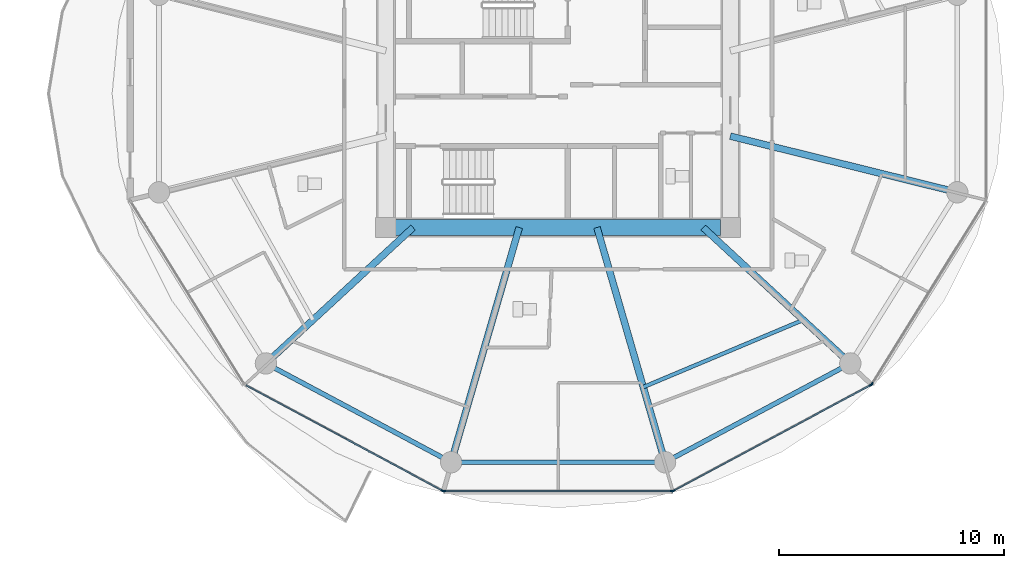
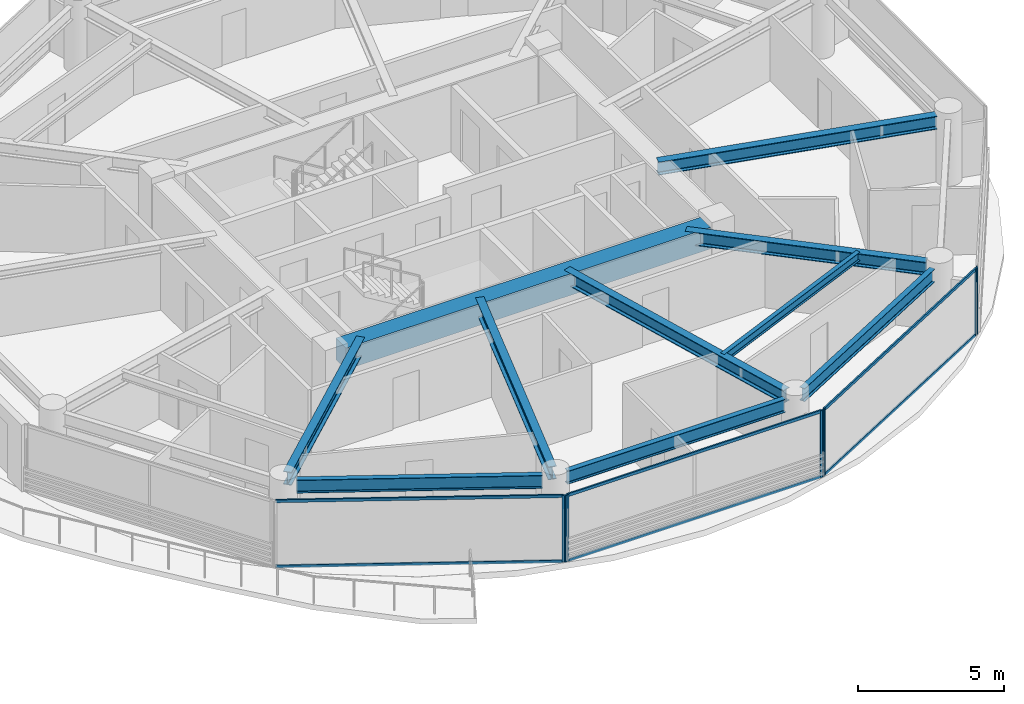
# One storey, part 10 of 26: 12 members, 10 beams, 4 elements without a shape of their own.
"""IFC4 building model written with IfcOpenShell, lengths in metres."""

from ifc_helpers import new_model, si_unit, direction, frame, origin, origin_2d, place, context, subcontext, project, spatial, rectangle, i_section, extrude, source, transform, mapped, material, layer, layer_set, material_profile, profile_set, type_object, type_shapes, element, aggregate, save


model = new_model("IFC4")

# Units and contexts
model_context = context("Model", 3, precision=1e-05, world=origin(), true_north=direction((0.0, 1.0)))
body_context = subcontext(model_context, "Body", "Model", "MODEL_VIEW")
ifc_project = project(units=[si_unit("LENGTHUNIT", "METRE"), si_unit("AREAUNIT", "SQUARE_METRE"), si_unit("VOLUMEUNIT", "CUBIC_METRE"), si_unit("PLANEANGLEUNIT", "RADIAN"), si_unit("MASSUNIT", "GRAM", prefix="KILO")], contexts=[model_context])

# Site, building, storey
site_placement = place(None, origin())
site = spatial("IfcSite", under=ifc_project, at=site_placement, CompositionType="ELEMENT")
building_placement = place(site_placement, origin())
building = spatial("IfcBuilding", under=site, at=building_placement, Name="Norrkilde Senior Care Towers", CompositionType="ELEMENT")
storey_placement = place(building_placement, frame((0.0, 0.0, 67.35009765625)))
storey = spatial("IfcBuildingStorey", under=building, at=storey_placement, Name="L20", CompositionType="ELEMENT", Elevation=67.35009765625)

# Beams
ifc_material_1 = material(Name="Concrete C60/75", Category="concrete")
ifc_material_profile_1 = material_profile(ifc_material_1, rectangle(XDim=0.699951171875, YDim=0.89990234375, at=origin_2d()), Name="RC BM 700x900")
ifc_profile_set_1 = profile_set([ifc_material_profile_1], Name="Concrete C60/75")
beam_type_1 = type_object("IfcBeamType", Name="Core Coupling Girder 700x900", PredefinedType="USERDEFINED", material=ifc_profile_set_1)
shared_shape_1 = source(origin(), body_context, "Body", "SweptSolid", [
    extrude(rectangle(XDim=0.699951171875, YDim=0.89990234375, at=origin_2d()), origin(), (0.0, 0.0, 1.0), 14.43994140625),
])
type_shapes(beam_type_1, [shared_shape_1])
beam_1_placement = place(storey_placement, frame((20.780029296875, -5.949951171875, 2.33984375), z_axis=(1.0, 0.0, 0.0), x_axis=(0.0, 1.0, 0.0)))
element("IfcBeam", 1, at=beam_1_placement, inside=storey, type_object=beam_type_1, Name="L20 Core E S Coupling Girder", ObjectType="GIRDER", PredefinedType="USERDEFINED", context=body_context, shape_type="MappedRepresentation", body=[
    mapped(shared_shape_1, transform((0.0, 0.0, 0.0), x_axis=(1.0, 0.0, 0.0), y_axis=(0.0, 1.0, 0.0), z_axis=(0.0, 0.0, 1.0), scale=1.0)),
])
ifc_material_2 = material(Name="Steel S355", Category="steel")
ifc_material_profile_2 = material_profile(ifc_material_2, i_section(OverallWidth=0.300048828125, OverallDepth=0.550048828125, WebThickness=0.014892578125, FlangeThickness=0.029052734375, FilletRadius=0.027099609375, at=origin_2d()), Name="HEB 550")
ifc_profile_set_2 = profile_set([ifc_material_profile_2], Name="Steel S355")
beam_type_2 = type_object("IfcBeamType", Name="Radial Floor Beam Z1 HEB550", PredefinedType="BEAM", material=ifc_profile_set_2)
shared_shape_2 = source(origin(), body_context, "Body", "SweptSolid", [
    extrude(i_section(OverallWidth=0.300048828125, OverallDepth=0.550048828125, WebThickness=0.014892578125, FlangeThickness=0.029052734375, FilletRadius=0.027099609375, at=origin_2d()), origin(), (0.0, 0.0, 1.0), 9.94384765625),
])
beam_2_placement = place(storey_placement, frame((35.64990234375, -1.893310546875, 2.514892578125), z_axis=(0.970707425182, -0.240264634718, 0.0), x_axis=(0.240264634718, 0.970707425182, 0.0)))
element("IfcBeam", 2, at=beam_2_placement, inside=storey, type_object=beam_type_2, Name="L20 Drum E Radial Floor Beam 12", PredefinedType="BEAM", context=body_context, shape_type="MappedRepresentation", body=[
    mapped(shared_shape_2, transform((0.0, 0.0, 0.0), x_axis=(1.0, 0.0, 0.0), y_axis=(0.0, 1.0, 0.0), z_axis=(0.0, 0.0, 1.0), scale=1.0)),
])
ifc_material_profile_3 = material_profile(ifc_material_2, i_section(OverallWidth=0.2099609375, OverallDepth=0.550048828125, WebThickness=0.010986328125, FlangeThickness=0.01708984375, FilletRadius=0.02392578125, at=origin_2d()), Name="IPE 550")
ifc_profile_set_3 = profile_set([ifc_material_profile_3], Name="Steel S355")
beam_type_3 = type_object("IfcBeamType", Name="Perimeter Ring Spandrel Z1 IPE550", PredefinedType="SPANDREL", material=ifc_profile_set_3)
shared_shape_3 = source(origin(), body_context, "Body", "SweptSolid", [
    extrude(i_section(OverallWidth=0.2099609375, OverallDepth=0.550048828125, WebThickness=0.010986328125, FlangeThickness=0.01708984375, FilletRadius=0.02392578125, at=origin_2d()), origin(), (0.0, 0.0, 1.0), 8.452880859375),
])
for number, where, z_axis, x_axis, name in (
    (3, (15.408447265625, -12.190185546875, 2.514892578125), (0.882368931134, -0.470558252898, 0.0), (0.470558252898, 0.882368931134, 0.0), "L20 Drum E Perimeter Spandrel 08"),
    (4, (33.133056640625, -16.167724609375, 2.514892578125), (0.882368931134, 0.470558252898, 0.0), (-0.470558252898, 0.882368931134, 0.0), "L20 Drum E Perimeter Spandrel 10"),
):
    element("IfcBeam", number, at=place(storey_placement, frame(where, z_axis=z_axis, x_axis=x_axis)), inside=storey, type_object=beam_type_3, Name=name, PredefinedType="SPANDREL", context=body_context, shape_type="MappedRepresentation", body=[
        mapped(shared_shape_3, transform((0.0, 0.0, 0.0), x_axis=(1.0, 0.0, 0.0), y_axis=(0.0, 1.0, 0.0), z_axis=(0.0, 0.0, 1.0), scale=1.0)),
    ])
shared_shape_4 = source(origin(), body_context, "Body", "SweptSolid", [
    extrude(i_section(OverallWidth=0.300048828125, OverallDepth=0.550048828125, WebThickness=0.014892578125, FlangeThickness=0.029052734375, FilletRadius=0.027099609375, at=origin_2d()), origin(), (0.0, 0.0, 1.0), 8.459716796875),
])
for number, where, z_axis, x_axis, name in (
    (5, (21.55859375, -5.949951171875, 2.514892578125), (-0.734573269108, -0.678529374686, 0.0), (0.678529374686, -0.734573269108, 0.0), "L20 Drum E Radial Floor Beam 08"),
    (6, (34.44140625, -5.949951171875, 2.514892578125), (0.734573269108, -0.678529374686, 0.0), (0.678529374686, 0.734573269108, 0.0), "L20 Drum E Radial Floor Beam 11"),
):
    element("IfcBeam", number, at=place(storey_placement, frame(where, z_axis=z_axis, x_axis=x_axis)), inside=storey, type_object=beam_type_2, Name=name, PredefinedType="BEAM", context=body_context, shape_type="MappedRepresentation", body=[
        mapped(shared_shape_4, transform((0.0, 0.0, 0.0), x_axis=(1.0, 0.0, 0.0), y_axis=(0.0, 1.0, 0.0), z_axis=(0.0, 0.0, 1.0), scale=1.0)),
    ])
shared_shape_5 = source(origin(), body_context, "Body", "SweptSolid", [
    extrude(i_section(OverallWidth=0.2099609375, OverallDepth=0.550048828125, WebThickness=0.010986328125, FlangeThickness=0.01708984375, FilletRadius=0.02392578125, at=origin_2d()), origin(), (0.0, 0.0, 1.0), 8.62841796875),
])
type_shapes(beam_type_3, [shared_shape_3, shared_shape_5])
beam_3_placement = place(storey_placement, frame((23.685791015625, -16.37255859375, 2.514892578125), z_axis=(1.0, 0.0, 0.0), x_axis=(0.0, 1.0, 0.0)))
element("IfcBeam", 7, at=beam_3_placement, inside=storey, type_object=beam_type_3, Name="L20 Drum E Perimeter Spandrel 09", PredefinedType="SPANDREL", context=body_context, shape_type="MappedRepresentation", body=[
    mapped(shared_shape_5, transform((0.0, 0.0, 0.0), x_axis=(1.0, 0.0, 0.0), y_axis=(0.0, 1.0, 0.0), z_axis=(0.0, 0.0, 1.0), scale=1.0)),
])
shared_shape_6 = source(origin(), body_context, "Body", "SweptSolid", [
    extrude(i_section(OverallWidth=0.300048828125, OverallDepth=0.550048828125, WebThickness=0.014892578125, FlangeThickness=0.029052734375, FilletRadius=0.027099609375, at=origin_2d()), origin(), (0.0, 0.0, 1.0), 10.4169921875),
])
type_shapes(beam_type_2, [shared_shape_2, shared_shape_4, shared_shape_6])
for number, where, z_axis, x_axis, name in (
    (8, (26.27392578125, -5.949951171875, 2.514892578125), (-0.278591250785, -0.960409764104, 0.0), (0.960409764104, -0.278591250785, 0.0), "L20 Drum E Radial Floor Beam 09"),
    (9, (29.72607421875, -5.949951171875, 2.514892578125), (0.278591250785, -0.960409764104, 0.0), (0.960409764104, 0.278591250785, 0.0), "L20 Drum E Radial Floor Beam 10"),
):
    element("IfcBeam", number, at=place(storey_placement, frame(where, z_axis=z_axis, x_axis=x_axis)), inside=storey, type_object=beam_type_2, Name=name, PredefinedType="BEAM", context=body_context, shape_type="MappedRepresentation", body=[
        mapped(shared_shape_6, transform((0.0, 0.0, 0.0), x_axis=(1.0, 0.0, 0.0), y_axis=(0.0, 1.0, 0.0), z_axis=(0.0, 0.0, 1.0), scale=1.0)),
    ])
ifc_material_profile_4 = material_profile(ifc_material_2, i_section(OverallWidth=0.169921875, OverallDepth=0.360107421875, WebThickness=0.008056640625, FlangeThickness=0.0126953125, FilletRadius=0.01806640625, at=origin_2d()), Name="IPE 360")
ifc_profile_set_4 = profile_set([ifc_material_profile_4], Name="Steel S355")
beam_type_4 = type_object("IfcBeamType", Name="Secondary Floor Joist IPE360", PredefinedType="JOIST", material=ifc_profile_set_4)
shared_shape_7 = source(origin(), body_context, "Body", "SweptSolid", [
    extrude(i_section(OverallWidth=0.169921875, OverallDepth=0.360107421875, WebThickness=0.008056640625, FlangeThickness=0.0126953125, FilletRadius=0.01806640625, at=origin_2d()), origin(), (0.0, 0.0, 1.0), 7.703857421875),
])
type_shapes(beam_type_4, [shared_shape_7])
beam_4_placement = place(storey_placement, frame((31.78173828125, -13.037353515625, 2.60986328125), z_axis=(0.921982784465, 0.387230868023, 0.0), x_axis=(-0.387230868023, 0.921982784465, 0.0)))
element("IfcBeam", 10, at=beam_4_placement, inside=storey, type_object=beam_type_4, Name="L20 Drum E Secondary Floor Joist 4", PredefinedType="JOIST", context=body_context, shape_type="MappedRepresentation", body=[
    mapped(shared_shape_7, transform((0.0, 0.0, 0.0), x_axis=(1.0, 0.0, 0.0), y_axis=(0.0, 1.0, 0.0), z_axis=(0.0, 0.0, 1.0), scale=1.0)),
])

# Curtain wall, member
ifc_material_3 = material(Name="Triple Low-E Insulated Glazing", Category="glass")
ifc_layer = layer(ifc_material_3, 0.199951171875)
ifc_layer_set = layer_set([ifc_layer], Name="Triple Low-E Insulated Glazing")
curtain_wall_type = type_object("IfcCurtainWallType", Name="CW2 Zone 1 Memory Care Curtain Wall", PredefinedType="NOTDEFINED", material=ifc_layer_set)
curtain_wall_1_placement = place(storey_placement, origin())
curtain_wall_1 = element("IfcCurtainWall", 11, at=curtain_wall_1_placement, inside=storey, type_object=curtain_wall_type, Name="L20 Drum E Curtain Wall 07", PredefinedType="NOTDEFINED")
ifc_material_4 = material(Name="Anodised Aluminium", Category="aluminium")
ifc_material_profile_5 = material_profile(ifc_material_4, rectangle(XDim=0.06494140625, YDim=0.159912109375, at=origin_2d()), Name="ALU MULL 65x160")
ifc_profile_set_5 = profile_set([ifc_material_profile_5], Name="Anodised Aluminium")
member_type_1 = type_object("IfcMemberType", Name="Curtain Wall Mullion Z1-Z2 65x160", PredefinedType="MULLION", material=ifc_profile_set_5)
shared_shape_8 = source(origin(), body_context, "Body", "SweptSolid", [
    extrude(rectangle(XDim=0.06494140625, YDim=0.159912109375, at=origin_2d()), origin(), (0.0, 0.0, 1.0), 2.789794921875),
])
type_shapes(member_type_1, [shared_shape_8])
member_1_placement = place(storey_placement, frame((22.877685546875, -17.641845703125, 0.0), z_axis=(0.0, 0.0, 1.0), x_axis=(-0.472607802456, -0.881272866403, 0.0)))
member_1 = element("IfcMember", 12, at=member_1_placement, type_object=member_type_1, Name="CW-2 mullion 1", PredefinedType="MULLION", context=body_context, shape_type="MappedRepresentation", body=[
    mapped(shared_shape_8, transform((0.0, 0.0, 0.0), x_axis=(1.0, 0.0, 0.0), y_axis=(0.0, 1.0, 0.0), z_axis=(0.0, 0.0, 1.0), scale=1.0)),
])

# Curtain wall, members
curtain_wall_2_placement = place(storey_placement, origin())
curtain_wall_2 = element("IfcCurtainWall", 13, at=curtain_wall_2_placement, inside=storey, type_object=curtain_wall_type, Name="L20 Drum E Curtain Wall 08", PredefinedType="NOTDEFINED")
member_2_placement = place(storey_placement, frame((33.06103515625, -17.6572265625, 0.0), z_axis=(0.0, 0.0, 1.0), x_axis=(0.0, -1.0, 0.0)))
member_2 = element("IfcMember", 14, at=member_2_placement, type_object=member_type_1, Name="CW-2 mullion 1", PredefinedType="MULLION", context=body_context, shape_type="MappedRepresentation", body=[
    mapped(shared_shape_8, transform((0.0, 0.0, 0.0), x_axis=(1.0, 0.0, 0.0), y_axis=(0.0, 1.0, 0.0), z_axis=(0.0, 0.0, 1.0), scale=1.0)),
])
member_3_placement = place(storey_placement, frame((22.93896484375, -17.6572265625, 0.0), z_axis=(0.0, 0.0, 1.0), x_axis=(0.0, -1.0, 0.0)))
member_3 = element("IfcMember", 15, at=member_3_placement, type_object=member_type_1, Name="CW-2 mullion 2", PredefinedType="MULLION", context=body_context, shape_type="MappedRepresentation", body=[
    mapped(shared_shape_8, transform((0.0, 0.0, 0.0), x_axis=(1.0, 0.0, 0.0), y_axis=(0.0, 1.0, 0.0), z_axis=(0.0, 0.0, 1.0), scale=1.0)),
])

curtain_wall_3_placement = place(storey_placement, origin())
curtain_wall_3 = element("IfcCurtainWall", 16, at=curtain_wall_3_placement, inside=storey, type_object=curtain_wall_type, Name="L20 Drum E Curtain Wall 09", PredefinedType="NOTDEFINED")
member_4_placement = place(storey_placement, frame((41.88720703125, -12.941162109375, 0.0), z_axis=(0.0, 0.0, 1.0), x_axis=(0.472607802456, -0.881272866403, 0.0)))
member_4 = element("IfcMember", 17, at=member_4_placement, type_object=member_type_1, Name="CW-2 mullion 1", PredefinedType="MULLION", context=body_context, shape_type="MappedRepresentation", body=[
    mapped(shared_shape_8, transform((0.0, 0.0, 0.0), x_axis=(1.0, 0.0, 0.0), y_axis=(0.0, 1.0, 0.0), z_axis=(0.0, 0.0, 1.0), scale=1.0)),
])
member_5_placement = place(storey_placement, frame((33.122314453125, -17.641845703125, 0.0), z_axis=(0.0, 0.0, 1.0), x_axis=(0.472607802456, -0.881272866403, 0.0)))
member_5 = element("IfcMember", 18, at=member_5_placement, type_object=member_type_1, Name="CW-2 mullion 2", PredefinedType="MULLION", context=body_context, shape_type="MappedRepresentation", body=[
    mapped(shared_shape_8, transform((0.0, 0.0, 0.0), x_axis=(1.0, 0.0, 0.0), y_axis=(0.0, 1.0, 0.0), z_axis=(0.0, 0.0, 1.0), scale=1.0)),
])

# Curtain wall, member
curtain_wall_4_placement = place(storey_placement, origin())
curtain_wall_4 = element("IfcCurtainWall", 19, at=curtain_wall_4_placement, inside=storey, type_object=curtain_wall_type, Name="L20 Drum E Curtain Wall 10", PredefinedType="NOTDEFINED")
member_6_placement = place(storey_placement, frame((41.93310546875, -12.898193359375, 0.0), z_axis=(0.0, 0.0, 1.0), x_axis=(0.849305943117, -0.527900951871, 0.0)))
member_6 = element("IfcMember", 20, at=member_6_placement, type_object=member_type_1, Name="CW-2 mullion 2", PredefinedType="MULLION", context=body_context, shape_type="MappedRepresentation", body=[
    mapped(shared_shape_8, transform((0.0, 0.0, 0.0), x_axis=(1.0, 0.0, 0.0), y_axis=(0.0, 1.0, 0.0), z_axis=(0.0, 0.0, 1.0), scale=1.0)),
])
aggregate(curtain_wall_4, [member_6])

# Member
ifc_material_profile_6 = material_profile(ifc_material_4, rectangle(XDim=0.06005859375, YDim=0.1201171875, at=origin_2d()), Name="ALU TRAN 60x120")
ifc_profile_set_6 = profile_set([ifc_material_profile_6], Name="Anodised Aluminium")
member_type_2 = type_object("IfcMemberType", Name="Curtain Wall Transom Typical 60x120", PredefinedType="USERDEFINED", material=ifc_profile_set_6)
shared_shape_9 = source(origin(), body_context, "Body", "SweptSolid", [
    extrude(rectangle(XDim=0.06005859375, YDim=0.1201171875, at=origin_2d()), origin(), (0.0, 0.0, 1.0), 9.880859375),
])
member_7_placement = place(storey_placement, frame((22.84912109375, -17.62646484375, 0.02978515625), z_axis=(-0.881267204043, 0.47261836092, 0.0), x_axis=(-0.47261836092, -0.881267204043, 0.0)))
member_7 = element("IfcMember", 21, at=member_7_placement, type_object=member_type_2, Name="CW-2 transom 1.1", ObjectType="TRANSOM", PredefinedType="USERDEFINED", context=body_context, shape_type="MappedRepresentation", body=[
    mapped(shared_shape_9, transform((0.0, 0.0, 0.0), x_axis=(1.0, 0.0, 0.0), y_axis=(0.0, 1.0, 0.0), z_axis=(0.0, 0.0, 1.0), scale=1.0)),
])

member_8_placement = place(storey_placement, frame((22.84912109375, -17.62646484375, 2.760009765625), z_axis=(-0.881267204043, 0.47261836092, 0.0), x_axis=(-0.47261836092, -0.881267204043, 0.0)))
member_8 = element("IfcMember", 22, at=member_8_placement, type_object=member_type_2, Name="CW-2 transom 1.2", ObjectType="TRANSOM", PredefinedType="USERDEFINED", context=body_context, shape_type="MappedRepresentation", body=[
    mapped(shared_shape_9, transform((0.0, 0.0, 0.0), x_axis=(1.0, 0.0, 0.0), y_axis=(0.0, 1.0, 0.0), z_axis=(0.0, 0.0, 1.0), scale=1.0)),
])

aggregate(curtain_wall_1, [member_1, member_7, member_8])

member_9_placement = place(storey_placement, frame((41.858642578125, -12.95654296875, 0.02978515625), z_axis=(-0.881267204043, -0.47261836092, 0.0), x_axis=(0.47261836092, -0.881267204043, 0.0)))
member_9 = element("IfcMember", 23, at=member_9_placement, type_object=member_type_2, Name="CW-2 transom 1.1", ObjectType="TRANSOM", PredefinedType="USERDEFINED", context=body_context, shape_type="MappedRepresentation", body=[
    mapped(shared_shape_9, transform((0.0, 0.0, 0.0), x_axis=(1.0, 0.0, 0.0), y_axis=(0.0, 1.0, 0.0), z_axis=(0.0, 0.0, 1.0), scale=1.0)),
])

member_10_placement = place(storey_placement, frame((41.858642578125, -12.95654296875, 2.760009765625), z_axis=(-0.881267204043, -0.47261836092, 0.0), x_axis=(0.47261836092, -0.881267204043, 0.0)))
member_10 = element("IfcMember", 24, at=member_10_placement, type_object=member_type_2, Name="CW-2 transom 1.2", ObjectType="TRANSOM", PredefinedType="USERDEFINED", context=body_context, shape_type="MappedRepresentation", body=[
    mapped(shared_shape_9, transform((0.0, 0.0, 0.0), x_axis=(1.0, 0.0, 0.0), y_axis=(0.0, 1.0, 0.0), z_axis=(0.0, 0.0, 1.0), scale=1.0)),
])

aggregate(curtain_wall_3, [member_4, member_5, member_9, member_10])

shared_shape_10 = source(origin(), body_context, "Body", "SweptSolid", [
    extrude(rectangle(XDim=0.06005859375, YDim=0.1201171875, at=origin_2d()), origin(), (0.0, 0.0, 1.0), 10.05712890625),
])
type_shapes(member_type_2, [shared_shape_9, shared_shape_10])
member_11_placement = place(storey_placement, frame((33.028564453125, -17.6572265625, 0.02978515625), z_axis=(-1.0, 0.0, 0.0), x_axis=(0.0, -1.0, 0.0)))
member_11 = element("IfcMember", 25, at=member_11_placement, type_object=member_type_2, Name="CW-2 transom 1.1", ObjectType="TRANSOM", PredefinedType="USERDEFINED", context=body_context, shape_type="MappedRepresentation", body=[
    mapped(shared_shape_10, transform((0.0, 0.0, 0.0), x_axis=(1.0, 0.0, 0.0), y_axis=(0.0, 1.0, 0.0), z_axis=(0.0, 0.0, 1.0), scale=1.0)),
])

member_12_placement = place(storey_placement, frame((33.028564453125, -17.6572265625, 2.760009765625), z_axis=(-1.0, 0.0, 0.0), x_axis=(0.0, -1.0, 0.0)))
member_12 = element("IfcMember", 26, at=member_12_placement, type_object=member_type_2, Name="CW-2 transom 1.2", ObjectType="TRANSOM", PredefinedType="USERDEFINED", context=body_context, shape_type="MappedRepresentation", body=[
    mapped(shared_shape_10, transform((0.0, 0.0, 0.0), x_axis=(1.0, 0.0, 0.0), y_axis=(0.0, 1.0, 0.0), z_axis=(0.0, 0.0, 1.0), scale=1.0)),
])

aggregate(curtain_wall_2, [member_2, member_3, member_11, member_12])

save(model, "model.ifc")
